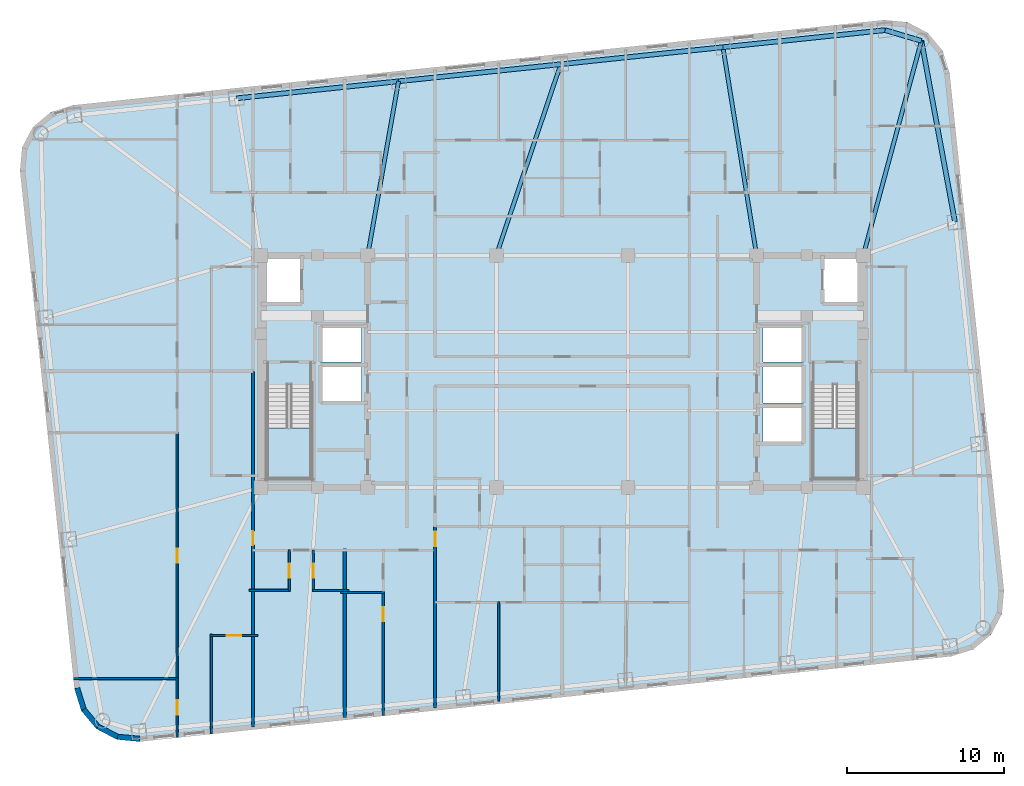
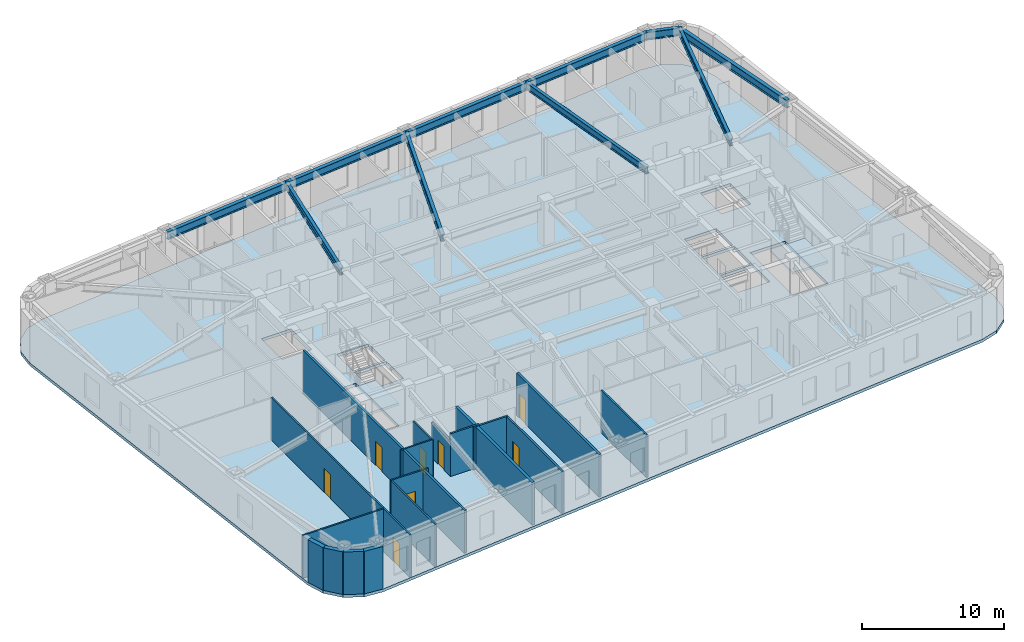
# One storey, part 2 of 12: 19 walls, 10 beams, 8 doors, 3 slabs, 8 openings, 2 elements without a shape of their own.
"""IFC4 building model written with IfcOpenShell, lengths in metres."""

from ifc_helpers import new_model, si_unit, direction, frame, frame_2d, origin, origin_2d, place, context, subcontext, project, spatial, polyline, rectangle, i_section, outline, extrude, material, layer, layer_set, material_profile, profile_set, type_object, element, fill, aggregate, save


model = new_model("IFC4")

# Units and contexts
model_context = context("Model", 3, precision=1e-05, world=origin(), true_north=direction((0.0, 1.0)))
body_context = subcontext(model_context, "Body", "Model", "MODEL_VIEW")
ifc_project = project(units=[si_unit("LENGTHUNIT", "METRE"), si_unit("AREAUNIT", "SQUARE_METRE"), si_unit("VOLUMEUNIT", "CUBIC_METRE"), si_unit("PLANEANGLEUNIT", "RADIAN"), si_unit("MASSUNIT", "GRAM", prefix="KILO")], contexts=[model_context])

# Site, building, storey
site_placement = place(None, origin())
site = spatial("IfcSite", under=ifc_project, at=site_placement, CompositionType="ELEMENT")
building_placement = place(site_placement, origin())
building = spatial("IfcBuilding", under=site, at=building_placement, Name="Voryun Gate Residences", CompositionType="ELEMENT")
storey_placement = place(building_placement, frame((0.0, 0.0, 152.10009765625)))
storey = spatial("IfcBuildingStorey", under=building, at=storey_placement, Name="L37", CompositionType="ELEMENT", Elevation=152.10009765625)

# Beams
ifc_material_1 = material(Name="Steel SM355", Category="steel")
ifc_material_profile_1 = material_profile(ifc_material_1, i_section(OverallWidth=0.300048828125, OverallDepth=0.679931640625, WebThickness=0.013916015625, FlangeThickness=0.02490234375, FilletRadius=0.01806640625, at=origin_2d()), Name="H-680x300x14x25")
ifc_profile_set_1 = profile_set([ifc_material_profile_1], Name="Steel SM355")
beam_type_1 = type_object("IfcBeamType", Name="BM_EXO_SPANDREL_M", PredefinedType="SPANDREL", material=ifc_profile_set_1)
beam_1_placement = place(storey_placement, frame((25.047119140625, 9.51806640625, 3.309814453125), z_axis=(-0.182267768769, 0.983248931079, 0.0), x_axis=(-0.983248931079, -0.182267768769, 0.0)))
element("IfcBeam", 1, at=beam_1_placement, inside=storey, type_object=beam_type_1, Name="BM-L37-SPAND-09", PredefinedType="SPANDREL", context=body_context, shape_type="SweptSolid", body=[
    extrude(i_section(OverallWidth=0.300048828125, OverallDepth=0.679931640625, WebThickness=0.013916015625, FlangeThickness=0.02490234375, FilletRadius=0.01806640625, at=origin_2d()), origin(), (0.0, 0.0, 1.0), 11.753662109375),
])
beam_2_placement = place(storey_placement, frame((22.90478515625, 21.074951171875, 3.309814453125), z_axis=(-0.958843048967, 0.283936625758, 0.0), x_axis=(-0.283936625758, -0.958843048967, 0.0)))
element("IfcBeam", 2, at=beam_2_placement, inside=storey, type_object=beam_type_1, Name="BM-L37-SPAND-10", PredefinedType="SPANDREL", context=body_context, shape_type="SweptSolid", body=[
    extrude(i_section(OverallWidth=0.300048828125, OverallDepth=0.679931640625, WebThickness=0.013916015625, FlangeThickness=0.02490234375, FilletRadius=0.01806640625, at=origin_2d()), origin(), (0.0, 0.0, 1.0), 2.410888671875),
])
for number, where, z_axis, x_axis, name in (
    (3, (20.593017578125, 21.759521484375, 3.309814453125), (-0.994521263116, -0.104534478571, 0.0), (0.104534478571, -0.994521263116, 0.0), "BM-L37-SPAND-11"),
    (4, (10.25, 20.67236328125, 3.309814453125), (-0.99452370336, -0.10451125994, 0.0), (0.10451125994, -0.99452370336, 0.0), "BM-L37-SPAND-12"),
    (5, (-0.093017578125, 19.58544921875, 3.309814453125), (-0.994521263116, -0.104534478571, 0.0), (0.104534478571, -0.994521263116, 0.0), "BM-L37-SPAND-13"),
    (6, (-10.43603515625, 18.498291015625, 3.309814453125), (-0.994521263116, -0.104534478571, 0.0), (0.104534478571, -0.994521263116, 0.0), "BM-L37-SPAND-14"),
):
    element("IfcBeam", number, at=place(storey_placement, frame(where, z_axis=z_axis, x_axis=x_axis)), inside=storey, type_object=beam_type_1, Name=name, PredefinedType="SPANDREL", context=body_context, shape_type="SweptSolid", body=[
        extrude(i_section(OverallWidth=0.300048828125, OverallDepth=0.679931640625, WebThickness=0.013916015625, FlangeThickness=0.02490234375, FilletRadius=0.01806640625, at=origin_2d()), origin(), (0.0, 0.0, 1.0), 10.39990234375),
    ])
ifc_material_2 = material(Name="Steel SM355", Category="steel")
ifc_material_profile_2 = material_profile(ifc_material_2, i_section(OverallWidth=0.25, OverallDepth=0.60009765625, WebThickness=0.011962890625, FlangeThickness=0.02197265625, FilletRadius=0.01806640625, at=origin_2d()), Name="H-600x250x12x22")
ifc_profile_set_2 = profile_set([ifc_material_profile_2], Name="Steel SM355")
beam_type_2 = type_object("IfcBeamType", Name="BM_GIRD_600", PredefinedType="USERDEFINED", material=ifc_profile_set_2)
beam_3_placement = place(storey_placement, frame((19.199951171875, 7.39990234375, 3.349853515625), z_axis=(0.261492735838, 0.965205443988, 0.0), x_axis=(-0.965205443988, 0.261492735838, 0.0)))
element("IfcBeam", 7, at=beam_3_placement, inside=storey, type_object=beam_type_2, Name="BM-L37-RAD-CNE", ObjectType="GIRDER", PredefinedType="USERDEFINED", context=body_context, shape_type="SweptSolid", body=[
    extrude(i_section(OverallWidth=0.25, OverallDepth=0.60009765625, WebThickness=0.011962890625, FlangeThickness=0.02197265625, FilletRadius=0.01806640625, at=origin_2d()), origin(), (0.0, 0.0, 1.0), 14.16796875),
])
beam_4_placement = place(storey_placement, frame((12.39990234375, 7.39990234375, 3.349853515625), z_axis=(-0.159898055533, 0.987133532931, 0.0), x_axis=(-0.987133532931, -0.159898055533, 0.0)))
element("IfcBeam", 8, at=beam_4_placement, inside=storey, type_object=beam_type_2, Name="BM-L37-RAD-N2", ObjectType="GIRDER", PredefinedType="USERDEFINED", context=body_context, shape_type="SweptSolid", body=[
    extrude(i_section(OverallWidth=0.25, OverallDepth=0.60009765625, WebThickness=0.011962890625, FlangeThickness=0.02197265625, FilletRadius=0.01806640625, at=origin_2d()), origin(), (0.0, 0.0, 1.0), 13.445556640625),
])
beam_5_placement = place(storey_placement, frame((-4.199951171875, 7.39990234375, 3.349853515625), z_axis=(0.319381479956, 0.947626229197, 0.0), x_axis=(-0.947626229197, 0.319381479956, 0.0)))
element("IfcBeam", 9, at=beam_5_placement, inside=storey, type_object=beam_type_2, Name="BM-L37-RAD-N3", ObjectType="GIRDER", PredefinedType="USERDEFINED", context=body_context, shape_type="SweptSolid", body=[
    extrude(i_section(OverallWidth=0.25, OverallDepth=0.60009765625, WebThickness=0.011962890625, FlangeThickness=0.02197265625, FilletRadius=0.01806640625, at=origin_2d()), origin(), (0.0, 0.0, 1.0), 12.859130859375),
])
beam_6_placement = place(storey_placement, frame((-12.39990234375, 7.39990234375, 3.349853515625), z_axis=(0.174243764839, 0.984702549207, 0.0), x_axis=(-0.984702549207, 0.174243764839, 0.0)))
element("IfcBeam", 10, at=beam_6_placement, inside=storey, type_object=beam_type_2, Name="BM-L37-RAD-N4", ObjectType="GIRDER", PredefinedType="USERDEFINED", context=body_context, shape_type="SweptSolid", body=[
    extrude(i_section(OverallWidth=0.25, OverallDepth=0.60009765625, WebThickness=0.011962890625, FlangeThickness=0.02197265625, FilletRadius=0.01806640625, at=origin_2d()), origin(), (0.0, 0.0, 1.0), 11.270751953125),
])

# Slab
ifc_material_3 = material(Name="Concrete C40/50", Category="concrete")
ifc_layer_1 = layer(ifc_material_3, 0.25, Name="SLB_RES_250")
ifc_layer_set_1 = layer_set([ifc_layer_1], Name="Concrete C40/50")
slab_type_1 = type_object("IfcSlabType", Name="SLB_RES_250", PredefinedType="FLOOR", material=ifc_layer_set_1)
slab_1_placement = place(storey_placement, frame((0.0, 0.0, -0.25)))
element("IfcSlab", 11, at=slab_1_placement, inside=storey, type_object=slab_type_1, Name="L37 Structural Floor Slab", PredefinedType="FLOOR", context=body_context, shape_type="SweptSolid", body=[
    extrude(outline(polyline([(-26.92529296875, -23.60595703125), (-28.401611328125, -23.47021484375), (-29.7138671875, -22.780029296875), (-30.661865234375, -21.639892578125), (-31.1015625, -20.22412109375), (-34.572021484375, 12.794189453125), (-34.436279296875, 14.2705078125), (-33.745849609375, 15.582763671875), (-32.60595703125, 16.53076171875), (-31.18994140625, 16.970458984375), (20.525146484375, 22.406005859375), (22.001708984375, 22.270263671875), (23.313720703125, 21.580078125), (24.261962890625, 20.43994140625), (24.70166015625, 19.02392578125), (28.171875, -13.994140625), (28.036376953125, -15.470458984375), (27.345947265625, -16.78271484375), (26.2060546875, -17.730712890625), (24.7900390625, -18.17041015625), (-26.92529296875, -23.60595703125)]), holes=[polyline([(-15.97509765625, -6.85009765625), (-15.97509765625, -0.840087890625), (-18.824951171875, -0.840087890625), (-18.824951171875, -6.85009765625), (-15.97509765625, -6.85009765625)]), polyline([(18.824951171875, -6.85009765625), (18.824951171875, -0.840087890625), (15.97509765625, -0.840087890625), (15.97509765625, -6.85009765625), (18.824951171875, -6.85009765625)]), polyline([(15.39990234375, -2.199951171875), (12.800048828125, -2.199951171875), (12.800048828125, -4.60009765625), (15.39990234375, -4.60009765625), (15.39990234375, -2.199951171875)]), polyline([(-12.800048828125, 0.39990234375), (-15.39990234375, 0.39990234375), (-15.39990234375, -2.0), (-12.800048828125, -2.0), (-12.800048828125, 0.39990234375)]), polyline([(15.39990234375, 0.39990234375), (12.800048828125, 0.39990234375), (12.800048828125, -2.0), (15.39990234375, -2.0), (15.39990234375, 0.39990234375)]), polyline([(-12.800048828125, 2.89990234375), (-15.39990234375, 2.89990234375), (-15.39990234375, 0.60009765625), (-12.800048828125, 0.60009765625), (-12.800048828125, 2.89990234375)]), polyline([(15.39990234375, 2.89990234375), (12.800048828125, 2.89990234375), (12.800048828125, 0.60009765625), (15.39990234375, 0.60009765625), (15.39990234375, 2.89990234375)]), polyline([(-16.60009765625, 4.300048828125), (-16.60009765625, 7.199951171875), (-19.0, 7.199951171875), (-19.0, 4.300048828125), (-16.60009765625, 4.300048828125)]), polyline([(19.0, 4.300048828125), (19.0, 7.199951171875), (16.60009765625, 7.199951171875), (16.60009765625, 4.300048828125), (19.0, 4.300048828125)])]), origin(), (0.0, 0.0, 1.0), 0.25),
])

# Stair, slab
ifc_material_4 = material(Name="Concrete C40/50", Category="concrete")
stair_type = type_object("IfcStairType", Name="STR_CORE_DOGLEG_1350", PredefinedType="HALF_TURN_STAIR", material=ifc_material_4)
stair_1_placement = place(storey_placement, origin())
stair_1 = element("IfcStair", 12, at=stair_1_placement, inside=storey, type_object=stair_type, Name="L37 Special Escape Stair ST-W1", PredefinedType="HALF_TURN_STAIR")
ifc_material_5 = material(Name="Concrete C40/50", Category="concrete")
ifc_layer_2 = layer(ifc_material_5, 0.199951171875, Name="SLB_STAIR_LANDING_200")
ifc_layer_set_2 = layer_set([ifc_layer_2], Name="Concrete C40/50")
slab_type_2 = type_object("IfcSlabType", Name="SLB_STAIR_LANDING_200", PredefinedType="LANDING", material=ifc_layer_set_2)
slab_2_placement = place(storey_placement, frame((0.0, 0.0, 1.75)))
slab_2 = element("IfcSlab", 13, at=slab_2_placement, type_object=slab_type_2, Name="ST-W1 landing 1", PredefinedType="LANDING", context=body_context, shape_type="SweptSolid", body=[
    extrude(outline(polyline([(-18.824951171875, -3.60009765625), (-18.824951171875, -6.85009765625), (-15.97509765625, -6.85009765625), (-15.97509765625, -3.60009765625), (-18.824951171875, -3.60009765625)])), origin(), (0.0, 0.0, 1.0), 0.199951171875),
])
aggregate(stair_1, [slab_2])

stair_2_placement = place(storey_placement, origin())
stair_2 = element("IfcStair", 14, at=stair_2_placement, inside=storey, type_object=stair_type, Name="L37 Special Escape Stair ST-E1", PredefinedType="HALF_TURN_STAIR")
slab_3_placement = place(storey_placement, frame((0.0, 0.0, 1.75)))
slab_3 = element("IfcSlab", 15, at=slab_3_placement, type_object=slab_type_2, Name="ST-E1 landing 1", PredefinedType="LANDING", context=body_context, shape_type="SweptSolid", body=[
    extrude(outline(polyline([(15.97509765625, -3.60009765625), (15.97509765625, -6.85009765625), (18.824951171875, -6.85009765625), (18.824951171875, -3.60009765625), (15.97509765625, -3.60009765625)])), origin(), (0.0, 0.0, 1.0), 0.199951171875),
])
aggregate(stair_2, [slab_3])

# Wall, opening, door
ifc_material_6 = material(Name="Gypsum acoustic fireboard")
ifc_layer_3 = layer(ifc_material_6, 0.179931640625, Name="W_CORR_RATED_180")
ifc_layer_set_3 = layer_set([ifc_layer_3], Name="Gypsum acoustic fireboard")
wall_type_1 = type_object("IfcWallType", Name="W_CORR_RATED_180", PredefinedType="PARTITIONING", material=ifc_layer_set_3)
wall_1_placement = place(storey_placement, frame((-8.10009765625, -21.456298828125, 0.0), z_axis=(0.0, 0.0, 1.0), x_axis=(0.0, 1.0, 0.0)))
wall_1 = element("IfcWall", 16, at=wall_1_placement, inside=storey, type_object=wall_type_1, Name="Partition wall WP-L37-SZV-1", PredefinedType="PARTITIONING", context=body_context, shape_type="SweptSolid", body=[
    extrude(rectangle(XDim=11.56640625, YDim=0.179931640625, at=frame_2d((5.783203125, 0.0))), origin(), (0.0, 0.0, 1.0), 3.64990234375),
])
opening_1_placement = place(wall_1_placement, frame((10.31591796875, 0.0, 0.0)))
opening_1 = element("IfcOpeningElement", 17, at=opening_1_placement, cuts=wall_1, Name="Opening D-INT-2", PredefinedType="OPENING", context=body_context, shape_type="SweptSolid", body=[
    extrude(rectangle(XDim=0.89990234375, YDim=2.050048828125, at=frame_2d((0.449951171875, 1.02490234375))), frame((0.0, 0.099853515625, 0.0), z_axis=(0.0, -1.0, 0.0), x_axis=(1.0, 0.0, 0.0)), (0.0, 0.0, 1.0), 0.199951171875),
])
ifc_material_7 = material(Name="Architectural oak veneer")
door_type_1 = type_object("IfcDoorType", Name="DR_INT_BATH_900", OperationType="NOTDEFINED", PredefinedType="DOOR", material=ifc_material_7)
door_1_placement = place(opening_1_placement, origin())
door_1 = element("IfcDoor", 18, at=door_1_placement, inside=storey, type_object=door_type_1, Name="Door DR-L37-SZENT-1", OperationType="SINGLE_SWING_LEFT", OverallHeight=2.050048828125, OverallWidth=0.89990234375, PredefinedType="DOOR", context=body_context, shape_type="SweptSolid", body=[
    extrude(rectangle(XDim=0.89990234375, YDim=2.050048828125, at=frame_2d((0.449951171875, 1.02490234375))), frame((0.0, 0.02490234375, 0.0), z_axis=(0.0, -1.0, 0.0), x_axis=(1.0, 0.0, 0.0)), (0.0, 0.0, 1.0), 0.050048828125),
])
fill(opening_1, door_1)

wall_2_placement = place(storey_placement, frame((-19.719970703125, -22.677734375, 0.0), z_axis=(0.0, 0.0, 1.0), x_axis=(0.0, 1.0, 0.0)))
wall_2 = element("IfcWall", 19, at=wall_2_placement, inside=storey, type_object=wall_type_1, Name="Partition wall WP-L37-WCOR1", PredefinedType="PARTITIONING", context=body_context, shape_type="SweptSolid", body=[
    extrude(rectangle(XDim=22.677734375, YDim=0.179931640625, at=frame_2d((11.3388671875, 0.0))), origin(), (0.0, 0.0, 1.0), 3.64990234375),
])
opening_2_placement = place(wall_2_placement, frame((11.5986328125, 0.0, 0.0)))
opening_2 = element("IfcOpeningElement", 20, at=opening_2_placement, cuts=wall_2, Name="Opening D-INT-2", PredefinedType="OPENING", context=body_context, shape_type="SweptSolid", body=[
    extrude(rectangle(XDim=0.89990234375, YDim=2.050048828125, at=frame_2d((0.449951171875, 1.02490234375))), frame((0.0, 0.099853515625, 0.0), z_axis=(0.0, -1.0, 0.0), x_axis=(1.0, 0.0, 0.0)), (0.0, 0.0, 1.0), 0.199951171875),
])
door_2_placement = place(opening_2_placement, origin())
door_2 = element("IfcDoor", 21, at=door_2_placement, inside=storey, type_object=door_type_1, Name="Door DR-L37-WE1", OperationType="SINGLE_SWING_LEFT", OverallHeight=2.050048828125, OverallWidth=0.89990234375, PredefinedType="DOOR", context=body_context, shape_type="SweptSolid", body=[
    extrude(rectangle(XDim=0.89990234375, YDim=2.050048828125, at=frame_2d((0.449951171875, 1.02490234375))), frame((0.0, 0.02490234375, 0.0), z_axis=(0.0, -1.0, 0.0), x_axis=(1.0, 0.0, 0.0)), (0.0, 0.0, 1.0), 0.050048828125),
])
fill(opening_2, door_2)

# Walls
ifc_material_8 = material(Name="Charcoal terracotta masonry", Category="masonry")
ifc_layer_4 = layer(ifc_material_8, 0.340087890625, Name="W_EXT_TERRACOTTA_340")
ifc_layer_set_4 = layer_set([ifc_layer_4], Name="Charcoal terracotta masonry")
wall_type_2 = type_object("IfcWallType", Name="W_EXT_TERRACOTTA_340", PredefinedType="ELEMENTEDWALL", material=ifc_layer_set_4)
wall_3_placement = place(storey_placement, frame((-26.92626953125, -23.435302734375, 0.0), z_axis=(0.0, 0.0, 1.0), x_axis=(-0.995800460351, 0.091550222087, 0.0)))
element("IfcWall", 22, at=wall_3_placement, inside=storey, type_object=wall_type_2, Name="Exterior wall WEXT-L37-02", PredefinedType="ELEMENTEDWALL", context=body_context, shape_type="SweptSolid", body=[
    extrude(rectangle(XDim=1.43212890625, YDim=0.340087890625, at=frame_2d((0.716064453125, 0.0))), origin(), (0.0, 0.0, 1.0), 3.64990234375),
])
wall_4_placement = place(storey_placement, frame((-28.352294921875, -23.30419921875, 0.0), z_axis=(0.0, 0.0, 1.0), x_axis=(-0.884989312682, 0.465611336243, 0.0)))
element("IfcWall", 23, at=wall_4_placement, inside=storey, type_object=wall_type_2, Name="Exterior wall WEXT-L37-03", PredefinedType="ELEMENTEDWALL", context=body_context, shape_type="SweptSolid", body=[
    extrude(rectangle(XDim=1.415283203125, YDim=0.340087890625, at=frame_2d((0.70751953125, 0.0))), origin(), (0.0, 0.0, 1.0), 3.64990234375),
])
wall_5_placement = place(storey_placement, frame((-29.604736328125, -22.645263671875, 0.0), z_axis=(0.0, 0.0, 1.0), x_axis=(-0.639437361921, 0.768843196093, 0.0)))
element("IfcWall", 24, at=wall_5_placement, inside=storey, type_object=wall_type_2, Name="Exterior wall WEXT-L37-04", PredefinedType="ELEMENTEDWALL", context=body_context, shape_type="SweptSolid", body=[
    extrude(rectangle(XDim=1.4150390625, YDim=0.340087890625, at=frame_2d((0.70751953125, 0.0))), origin(), (0.0, 0.0, 1.0), 3.64990234375),
])
wall_6_placement = place(storey_placement, frame((-30.509521484375, -21.557373046875, 0.0), z_axis=(0.0, 0.0, 1.0), x_axis=(-0.296624409546, 0.9549942197, 0.0)))
element("IfcWall", 25, at=wall_6_placement, inside=storey, type_object=wall_type_2, Name="Exterior wall WEXT-L37-05", PredefinedType="ELEMENTEDWALL", context=body_context, shape_type="SweptSolid", body=[
    extrude(rectangle(XDim=1.43212890625, YDim=0.340087890625, at=frame_2d((0.716064453125, 0.0))), origin(), (0.0, 0.0, 1.0), 3.64990234375),
])
ifc_material_9 = material(Name="Concrete C40/50", Category="concrete")
ifc_layer_5 = layer(ifc_material_9, 0.219970703125, Name="W_PARTY_ACOUSTIC_220")
ifc_layer_set_5 = layer_set([ifc_layer_5], Name="Concrete C40/50")
wall_type_3 = type_object("IfcWallType", Name="W_PARTY_ACOUSTIC_220", PredefinedType="PARTITIONING", material=ifc_layer_set_5)
wall_7_placement = place(storey_placement, frame((-13.864990234375, -22.0625, 0.0), z_axis=(0.0, 0.0, 1.0), x_axis=(0.0, 1.0, 0.0)))
element("IfcWall", 26, at=wall_7_placement, inside=storey, type_object=wall_type_3, Name="Partition wall WP-L37-SPTY-1", PredefinedType="PARTITIONING", context=body_context, shape_type="SweptSolid", body=[
    extrude(rectangle(XDim=10.742431640625, YDim=0.219970703125, at=frame_2d((5.37109375, 0.0))), origin(), (0.0, 0.0, 1.0), 3.64990234375),
])

# Wall, opening, door
ifc_material_10 = material(Name="Gypsum acoustic partition")
ifc_layer_6 = layer(ifc_material_10, 0.125, Name="W_UNIT_PART_125")
ifc_layer_set_6 = layer_set([ifc_layer_6], Name="Gypsum acoustic partition")
wall_type_4 = type_object("IfcWallType", Name="W_UNIT_PART_125", PredefinedType="PARTITIONING", material=ifc_layer_set_6)
wall_8_placement = place(storey_placement, frame((-17.39990234375, -14.030029296875, 0.0), z_axis=(0.0, 0.0, 1.0), x_axis=(0.0, 1.0, 0.0)))
wall_8 = element("IfcWall", 27, at=wall_8_placement, inside=storey, type_object=wall_type_4, Name="Partition wall WP-L37-S1-CVK", PredefinedType="PARTITIONING", context=body_context, shape_type="SweptSolid", body=[
    extrude(rectangle(XDim=2.650146484375, YDim=0.125, at=frame_2d((1.3251953125, 0.0))), origin(), (0.0, 0.0, 1.0), 3.64990234375),
])
opening_3_placement = place(wall_8_placement, frame((0.875, 0.0, 0.0)))
opening_3 = element("IfcOpeningElement", 28, at=opening_3_placement, cuts=wall_8, Name="Opening D-INT-2", PredefinedType="OPENING", context=body_context, shape_type="SweptSolid", body=[
    extrude(rectangle(XDim=0.89990234375, YDim=2.050048828125, at=frame_2d((0.449951171875, 1.02490234375))), frame((0.0, 0.072509765625, 0.0), z_axis=(0.0, -1.0, 0.0), x_axis=(1.0, 0.0, 0.0)), (0.0, 0.0, 1.0), 0.14501953125),
])
door_3_placement = place(opening_3_placement, origin())
door_3 = element("IfcDoor", 29, at=door_3_placement, inside=storey, type_object=door_type_1, Name="Door DR-L37-S1-DK", OperationType="SINGLE_SWING_LEFT", OverallHeight=2.050048828125, OverallWidth=0.89990234375, PredefinedType="DOOR", context=body_context, shape_type="SweptSolid", body=[
    extrude(rectangle(XDim=0.89990234375, YDim=2.050048828125, at=frame_2d((0.449951171875, 1.02490234375))), frame((0.0, 0.02490234375, 0.0), z_axis=(0.0, -1.0, 0.0), x_axis=(1.0, 0.0, 0.0)), (0.0, 0.0, 1.0), 0.050048828125),
])
fill(opening_3, door_3)

# Walls
wall_9_placement = place(storey_placement, frame((-19.969970703125, -13.969970703125, 0.0), z_axis=(0.0, 0.0, 1.0), x_axis=(1.0, 0.0, 0.0)))
element("IfcWall", 30, at=wall_9_placement, inside=storey, type_object=wall_type_4, Name="Partition wall WP-L37-S1-CHK", PredefinedType="PARTITIONING", context=body_context, shape_type="SweptSolid", body=[
    extrude(rectangle(XDim=2.6298828125, YDim=0.125, at=frame_2d((1.31494140625, 0.0))), origin(), (0.0, 0.0, 1.0), 3.64990234375),
])
wall_10_placement = place(storey_placement, frame((-4.050048828125, -21.03076171875, 0.0), z_axis=(0.0, 0.0, 1.0), x_axis=(0.0, 1.0, 0.0)))
element("IfcWall", 31, at=wall_10_placement, inside=storey, type_object=wall_type_4, Name="Partition wall WP-L37-SC1-VBD", PredefinedType="PARTITIONING", context=body_context, shape_type="SweptSolid", body=[
    extrude(rectangle(XDim=6.3408203125, YDim=0.125, at=frame_2d((3.17041015625, 0.0))), origin(), (0.0, 0.0, 1.0), 3.64990234375),
])
wall_11_placement = place(storey_placement, frame((-31.148681640625, -19.583984375, 0.0), z_axis=(0.0, 0.0, 1.0), x_axis=(1.0, 0.0, 0.0)))
element("IfcWall", 32, at=wall_11_placement, inside=storey, type_object=wall_type_4, Name="Partition wall WP-L37-W1-OH1", PredefinedType="PARTITIONING", context=body_context, shape_type="SweptSolid", body=[
    extrude(rectangle(XDim=6.6787109375, YDim=0.125, at=frame_2d((3.33935546875, 0.0))), origin(), (0.0, 0.0, 1.0), 3.64990234375),
])

# Wall, opening, door
wall_12_placement = place(storey_placement, frame((-24.550048828125, -23.336181640625, 0.0), z_axis=(0.0, 0.0, 1.0), x_axis=(0.0, 1.0, 0.0)))
wall_12 = element("IfcWall", 33, at=wall_12_placement, inside=storey, type_object=wall_type_4, Name="Partition wall WP-L37-W1-OVX1", PredefinedType="PARTITIONING", context=body_context, shape_type="SweptSolid", body=[
    extrude(rectangle(XDim=3.80224609375, YDim=0.125, at=frame_2d((1.901123046875, 0.0))), origin(), (0.0, 0.0, 1.0), 3.64990234375),
])
opening_4_placement = place(wall_12_placement, frame((1.451171875, 0.0, 0.0)))
opening_4 = element("IfcOpeningElement", 34, at=opening_4_placement, cuts=wall_12, Name="Opening D-INT-2", PredefinedType="OPENING", context=body_context, shape_type="SweptSolid", body=[
    extrude(rectangle(XDim=0.89990234375, YDim=2.050048828125, at=frame_2d((0.449951171875, 1.02490234375))), frame((0.0, 0.072509765625, 0.0), z_axis=(0.0, -1.0, 0.0), x_axis=(1.0, 0.0, 0.0)), (0.0, 0.0, 1.0), 0.14501953125),
])
door_4_placement = place(opening_4_placement, origin())
door_4 = element("IfcDoor", 35, at=door_4_placement, inside=storey, type_object=door_type_1, Name="Door DR-L37-W1-DBD2", OperationType="SINGLE_SWING_LEFT", OverallHeight=2.050048828125, OverallWidth=0.89990234375, PredefinedType="DOOR", context=body_context, shape_type="SweptSolid", body=[
    extrude(rectangle(XDim=0.89990234375, YDim=2.050048828125, at=frame_2d((0.449951171875, 1.02490234375))), frame((0.0, 0.02490234375, 0.0), z_axis=(0.0, -1.0, 0.0), x_axis=(1.0, 0.0, 0.0)), (0.0, 0.0, 1.0), 0.050048828125),
])
fill(opening_4, door_4)

wall_13_placement = place(storey_placement, frame((-24.550048828125, -19.634033203125, 0.0), z_axis=(0.0, 0.0, 1.0), x_axis=(0.0, 1.0, 0.0)))
wall_13 = element("IfcWall", 36, at=wall_13_placement, inside=storey, type_object=wall_type_4, Name="Partition wall WP-L37-W1-OVX2", PredefinedType="PARTITIONING", context=body_context, shape_type="SweptSolid", body=[
    extrude(rectangle(XDim=15.76611328125, YDim=0.125, at=frame_2d((7.883056640625, 0.0))), origin(), (0.0, 0.0, 1.0), 3.64990234375),
])
opening_5_placement = place(wall_13_placement, frame((7.43310546875, 0.0, 0.0)))
opening_5 = element("IfcOpeningElement", 37, at=opening_5_placement, cuts=wall_13, Name="Opening D-INT-2", PredefinedType="OPENING", context=body_context, shape_type="SweptSolid", body=[
    extrude(rectangle(XDim=0.89990234375, YDim=2.050048828125, at=frame_2d((0.449951171875, 1.02490234375))), frame((0.0, 0.072509765625, 0.0), z_axis=(0.0, -1.0, 0.0), x_axis=(1.0, 0.0, 0.0)), (0.0, 0.0, 1.0), 0.14501953125),
])
door_5_placement = place(opening_5_placement, origin())
door_5 = element("IfcDoor", 38, at=door_5_placement, inside=storey, type_object=door_type_1, Name="Door DR-L37-W1-DSTD", OperationType="SINGLE_SWING_RIGHT", OverallHeight=2.050048828125, OverallWidth=0.89990234375, PredefinedType="DOOR", context=body_context, shape_type="SweptSolid", body=[
    extrude(rectangle(XDim=0.89990234375, YDim=2.050048828125, at=frame_2d((0.449951171875, 1.02490234375))), frame((0.0, 0.02490234375, 0.0), z_axis=(0.0, -1.0, 0.0), x_axis=(1.0, 0.0, 0.0)), (0.0, 0.0, 1.0), 0.050048828125),
])
fill(opening_5, door_5)

wall_14_placement = place(storey_placement, frame((-22.449951171875, -16.842041015625, 0.0), z_axis=(0.0, 0.0, 1.0), x_axis=(1.0, 0.0, 0.0)))
wall_14 = element("IfcWall", 39, at=wall_14_placement, inside=storey, type_object=wall_type_4, Name="Partition wall WP-L37-W1-IKA", PredefinedType="PARTITIONING", context=body_context, shape_type="SweptSolid", body=[
    extrude(rectangle(XDim=3.050048828125, YDim=0.125, at=frame_2d((1.52490234375, 0.0))), origin(), (0.0, 0.0, 1.0), 3.64990234375),
])
opening_6_placement = place(wall_14_placement, frame((1.050048828125, 0.0, 0.0)))
opening_6 = element("IfcOpeningElement", 40, at=opening_6_placement, cuts=wall_14, Name="Opening D-INT-1", PredefinedType="OPENING", context=body_context, shape_type="SweptSolid", body=[
    extrude(rectangle(XDim=0.949951171875, YDim=2.050048828125, at=frame_2d((0.47509765625, 1.02490234375))), frame((0.0, 0.072509765625, 0.0), z_axis=(0.0, -1.0, 0.0), x_axis=(1.0, 0.0, 0.0)), (0.0, 0.0, 1.0), 0.14501953125),
])
ifc_material_11 = material(Name="Architectural oak veneer")
door_type_2 = type_object("IfcDoorType", Name="DR_INT_ROOM_950", OperationType="NOTDEFINED", PredefinedType="DOOR", material=ifc_material_11)
door_6_placement = place(opening_6_placement, origin())
door_6 = element("IfcDoor", 41, at=door_6_placement, inside=storey, type_object=door_type_2, Name="Door DR-L37-W1-DK", OperationType="SINGLE_SWING_LEFT", OverallHeight=2.050048828125, OverallWidth=0.949951171875, PredefinedType="DOOR", context=body_context, shape_type="SweptSolid", body=[
    extrude(rectangle(XDim=0.949951171875, YDim=2.050048828125, at=frame_2d((0.47509765625, 1.02490234375))), frame((0.0, 0.02490234375, 0.0), z_axis=(0.0, -1.0, 0.0), x_axis=(1.0, 0.0, 0.0)), (0.0, 0.0, 1.0), 0.050048828125),
])
fill(opening_6, door_6)

# Wall
wall_15_placement = place(storey_placement, frame((-22.3701171875, -23.107177734375, 0.0), z_axis=(0.0, 0.0, 1.0), x_axis=(0.0, 1.0, 0.0)))
element("IfcWall", 42, at=wall_15_placement, inside=storey, type_object=wall_type_4, Name="Partition wall WP-L37-W1-VTA", PredefinedType="PARTITIONING", context=body_context, shape_type="SweptSolid", body=[
    extrude(rectangle(XDim=6.34521484375, YDim=0.125, at=frame_2d((3.172607421875, 0.0))), origin(), (0.0, 0.0, 1.0), 3.64990234375),
])

# Wall, opening, door
ifc_material_12 = material(Name="Gypsum moisture-resistant partition")
ifc_layer_7 = layer(ifc_material_12, 0.14990234375, Name="W_WET_PLUMB_150")
ifc_layer_set_7 = layer_set([ifc_layer_7], Name="Gypsum moisture-resistant partition")
wall_type_5 = type_object("IfcWallType", Name="W_WET_PLUMB_150", PredefinedType="PLUMBINGWALL", material=ifc_layer_set_7)
wall_16_placement = place(storey_placement, frame((-15.8720703125, -14.030029296875, 0.0), z_axis=(0.0, 0.0, 1.0), x_axis=(0.0, 1.0, 0.0)))
wall_16 = element("IfcWall", 43, at=wall_16_placement, inside=storey, type_object=wall_type_5, Name="Partition wall WP-L37-S1-CVB", PredefinedType="PLUMBINGWALL", context=body_context, shape_type="SweptSolid", body=[
    extrude(rectangle(XDim=2.650146484375, YDim=0.14990234375, at=frame_2d((1.3251953125, 0.0))), origin(), (0.0, 0.0, 1.0), 3.039794921875),
])
opening_7_placement = place(wall_16_placement, frame((0.875, 0.0, 0.0)))
opening_7 = element("IfcOpeningElement", 44, at=opening_7_placement, cuts=wall_16, Name="Opening D-INT-2", PredefinedType="OPENING", context=body_context, shape_type="SweptSolid", body=[
    extrude(rectangle(XDim=0.89990234375, YDim=2.050048828125, at=frame_2d((0.449951171875, 1.02490234375))), frame((0.0, 0.0849609375, 0.0), z_axis=(0.0, -1.0, 0.0), x_axis=(1.0, 0.0, 0.0)), (0.0, 0.0, 1.0), 0.169921875),
])
door_7_placement = place(opening_7_placement, origin())
door_7 = element("IfcDoor", 45, at=door_7_placement, inside=storey, type_object=door_type_1, Name="Door DR-L37-S1-DB", OperationType="SINGLE_SWING_RIGHT", OverallHeight=2.050048828125, OverallWidth=0.89990234375, PredefinedType="DOOR", context=body_context, shape_type="SweptSolid", body=[
    extrude(rectangle(XDim=0.89990234375, YDim=2.050048828125, at=frame_2d((0.449951171875, 1.02490234375))), frame((0.0, 0.02490234375, 0.0), z_axis=(0.0, -1.0, 0.0), x_axis=(1.0, 0.0, 0.0)), (0.0, 0.0, 1.0), 0.050048828125),
])
fill(opening_7, door_7)

# Walls
wall_17_placement = place(storey_placement, frame((-15.931884765625, -13.969970703125, 0.0), z_axis=(0.0, 0.0, 1.0), x_axis=(1.0, 0.0, 0.0)))
element("IfcWall", 46, at=wall_17_placement, inside=storey, type_object=wall_type_5, Name="Partition wall WP-L37-S1-CHB", PredefinedType="PLUMBINGWALL", context=body_context, shape_type="SweptSolid", body=[
    extrude(rectangle(XDim=2.326904296875, YDim=0.14990234375, at=frame_2d((1.16357421875, 0.0))), origin(), (0.0, 0.0, 1.0), 3.64990234375),
])
wall_18_placement = place(storey_placement, frame((-14.125, -14.10009765625, 0.0), z_axis=(0.0, 0.0, 1.0), x_axis=(1.0, 0.0, 0.0)))
element("IfcWall", 47, at=wall_18_placement, inside=storey, type_object=wall_type_5, Name="Partition wall WP-L37-S2-SKB", PredefinedType="PLUMBINGWALL", context=body_context, shape_type="SweptSolid", body=[
    extrude(rectangle(XDim=2.802001953125, YDim=0.14990234375, at=frame_2d((1.40087890625, 0.0))), origin(), (0.0, 0.0, 1.0), 3.64990234375),
])

# Wall, opening, door
wall_19_placement = place(storey_placement, frame((-11.403076171875, -21.954345703125, 0.0), z_axis=(0.0, 0.0, 1.0), x_axis=(0.0, 1.0, 0.0)))
wall_19 = element("IfcWall", 48, at=wall_19_placement, inside=storey, type_object=wall_type_5, Name="Partition wall WP-L37-S2-SVT1", PredefinedType="PLUMBINGWALL", context=body_context, shape_type="SweptSolid", body=[
    extrude(rectangle(XDim=7.894287109375, YDim=0.14990234375, at=frame_2d((3.947265625, 0.0))), origin(), (0.0, 0.0, 1.0), 3.64990234375),
])
opening_8_placement = place(wall_19_placement, frame((6.0234375, 0.0, 0.0)))
opening_8 = element("IfcOpeningElement", 49, at=opening_8_placement, cuts=wall_19, Name="Opening D-INT-2", PredefinedType="OPENING", context=body_context, shape_type="SweptSolid", body=[
    extrude(rectangle(XDim=0.89990234375, YDim=2.050048828125, at=frame_2d((0.449951171875, 1.02490234375))), frame((0.0, 0.0849609375, 0.0), z_axis=(0.0, -1.0, 0.0), x_axis=(1.0, 0.0, 0.0)), (0.0, 0.0, 1.0), 0.169921875),
])
door_8_placement = place(opening_8_placement, origin())
door_8 = element("IfcDoor", 50, at=door_8_placement, inside=storey, type_object=door_type_1, Name="Door DR-L37-S2-DK", OperationType="SINGLE_SWING_LEFT", OverallHeight=2.050048828125, OverallWidth=0.89990234375, PredefinedType="DOOR", context=body_context, shape_type="SweptSolid", body=[
    extrude(rectangle(XDim=0.89990234375, YDim=2.050048828125, at=frame_2d((0.449951171875, 1.02490234375))), frame((0.0, 0.02490234375, 0.0), z_axis=(0.0, -1.0, 0.0), x_axis=(1.0, 0.0, 0.0)), (0.0, 0.0, 1.0), 0.050048828125),
])
fill(opening_8, door_8)

save(model, "model.ifc")
